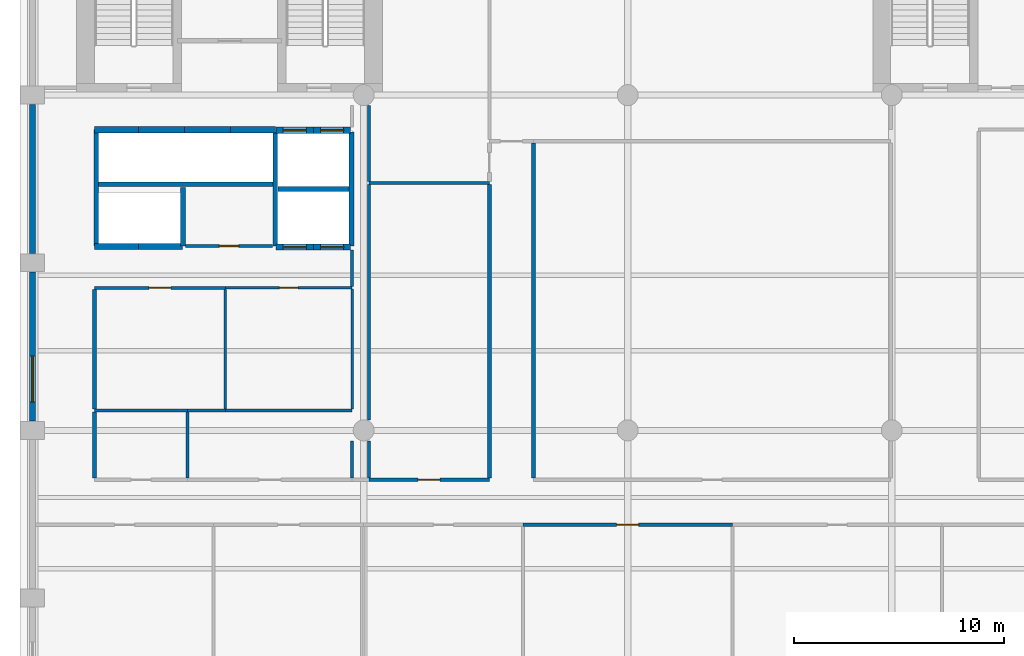
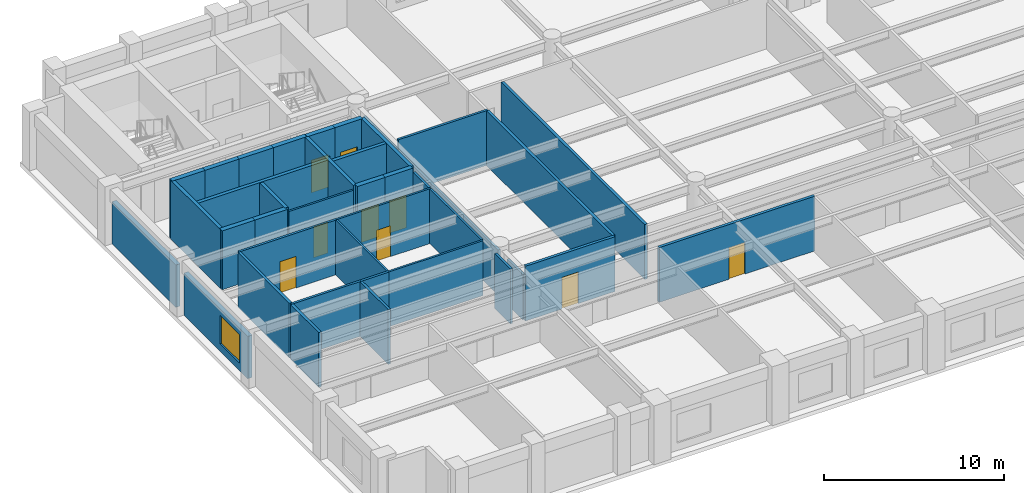
# One storey, part 3 of 8: 39 walls, 9 doors, 1 window, 10 openings.
"""IFC4 building model written with IfcOpenShell, lengths in metres."""

from ifc_helpers import new_model, si_unit, direction, frame, frame_2d, origin, place, context, subcontext, project, spatial, rectangle, extrude, material, layer, layer_set, type_object, element, fill, save


model = new_model("IFC4")

# Units and contexts
model_context = context("Model", 3, precision=1e-05, world=origin(), true_north=direction((0.0, 1.0)))
body_context = subcontext(model_context, "Body", "Model", "MODEL_VIEW")
ifc_project = project(units=[si_unit("LENGTHUNIT", "METRE"), si_unit("AREAUNIT", "SQUARE_METRE"), si_unit("VOLUMEUNIT", "CUBIC_METRE"), si_unit("PLANEANGLEUNIT", "RADIAN"), si_unit("MASSUNIT", "GRAM", prefix="KILO")], contexts=[model_context])

# Site, building, storey
site_placement = place(None, origin())
site = spatial("IfcSite", under=ifc_project, at=site_placement, CompositionType="ELEMENT")
building_placement = place(site_placement, origin())
building = spatial("IfcBuilding", under=site, at=building_placement, Name="Sulina Concourse Tower", CompositionType="ELEMENT")
storey_placement = place(building_placement, frame((0.0, 0.0, 132.60009765625)))
storey = spatial("IfcBuildingStorey", under=building, at=storey_placement, Name="L32", CompositionType="ELEMENT", Elevation=132.60009765625)

# Walls
ifc_material_1 = material(Name="Concrete C50/60", Category="concrete")
ifc_layer_1 = layer(ifc_material_1, 0.219970703125)
ifc_layer_set_1 = layer_set([ifc_layer_1], Name="Concrete C50/60")
wall_type_1 = type_object("IfcWallType", Name="Core Lift Hoistway Divider Wall 220mm", PredefinedType="SOLIDWALL", material=ifc_layer_set_1)
wall_1_placement = place(storey_placement, frame((3.550048828125, 29.75, 0.0), z_axis=(0.0, 0.0, 1.0), x_axis=(1.0, 0.0, 0.0)))
element("IfcWall", 1, at=wall_1_placement, inside=storey, type_object=wall_type_1, Name="L32 shaft divider wall HW-LP3-S", PredefinedType="SOLIDWALL", context=body_context, shape_type="SweptSolid", body=[
    extrude(rectangle(XDim=8.64990234375, YDim=0.219970703125, at=frame_2d((4.324951171875, 0.0))), origin(), (0.0, 0.0, 1.0), 4.0),
])
wall_2_placement = place(storey_placement, frame((3.6298828125, 26.800048828125, 0.0), z_axis=(0.0, 0.0, 1.0), x_axis=(0.0, 1.0, 0.0)))
element("IfcWall", 2, at=wall_2_placement, inside=storey, type_object=wall_type_1, Name="L32 shaft divider wall HW-LP3-W", PredefinedType="SOLIDWALL", context=body_context, shape_type="SweptSolid", body=[
    extrude(rectangle(XDim=5.550048828125, YDim=0.219970703125, at=frame_2d((2.77490234375, 0.0))), origin(), (0.0, 0.0, 1.0), 4.0),
])
wall_3_placement = place(storey_placement, frame((7.780029296875, 26.800048828125, 0.0), z_axis=(0.0, 0.0, 1.0), x_axis=(0.0, 1.0, 0.0)))
element("IfcWall", 3, at=wall_3_placement, inside=storey, type_object=wall_type_1, Name="L32 shaft divider wall HW-EXP-E", PredefinedType="SOLIDWALL", context=body_context, shape_type="SweptSolid", body=[
    extrude(rectangle(XDim=2.800048828125, YDim=0.219970703125, at=frame_2d((1.39990234375, 0.0))), origin(), (0.0, 0.0, 1.0), 4.0),
])
for number, where, z_axis, x_axis, name in (
    (4, (12.179931640625, 26.800048828125, 0.0), (0.0, 0.0, 1.0), (0.0, 1.0, 0.0), "L32 shaft divider wall HW-LP2-W"),
    (5, (15.820068359375, 26.800048828125, 0.0), (0.0, 0.0, 1.0), (0.0, 1.0, 0.0), "L32 shaft divider wall HW-LP2-E"),
):
    element("IfcWall", number, at=place(storey_placement, frame(where, z_axis=z_axis, x_axis=x_axis)), inside=storey, type_object=wall_type_1, Name=name, PredefinedType="SOLIDWALL", context=body_context, shape_type="SweptSolid", body=[
        extrude(rectangle(XDim=5.449951171875, YDim=0.219970703125, at=frame_2d((2.72509765625, 0.0))), origin(), (0.0, 0.0, 1.0), 4.0),
    ])
wall_4_placement = place(storey_placement, frame((12.300048828125, 29.52001953125, 0.0), z_axis=(0.0, 0.0, 1.0), x_axis=(1.0, 0.0, 0.0)))
element("IfcWall", 6, at=wall_4_placement, inside=storey, type_object=wall_type_1, Name="L32 shaft divider wall HW-LP2-M", PredefinedType="SOLIDWALL", context=body_context, shape_type="SweptSolid", body=[
    extrude(rectangle(XDim=3.39990234375, YDim=0.219970703125, at=frame_2d((1.699951171875, 0.0))), origin(), (0.0, 0.0, 1.0), 4.0),
])

# Wall, opening, door
ifc_material_2 = material(Name="Concrete C50/60", Category="concrete")
ifc_layer_2 = layer(ifc_material_2, 0.300048828125)
ifc_layer_set_2 = layer_set([ifc_layer_2], Name="Concrete C50/60")
wall_type_2 = type_object("IfcWallType", Name="Core Lift Hoistway Wall 300mm", PredefinedType="SOLIDWALL", material=ifc_layer_set_2)
wall_5_placement = place(storey_placement, frame((14.0, 26.75, 0.0), z_axis=(0.0, 0.0, 1.0), x_axis=(-1.0, 0.0, 0.0)))
wall_5 = element("IfcWall", 7, at=wall_5_placement, inside=storey, type_object=wall_type_2, Name="L32 hoistway enclosure wall LP-05", PredefinedType="SOLIDWALL", context=body_context, shape_type="SweptSolid", body=[
    extrude(rectangle(XDim=1.780029296875, YDim=0.300048828125, at=frame_2d((0.89013671875, 0.0))), origin(), (0.0, 0.0, 1.0), 4.0),
])
opening_1_placement = place(wall_5_placement, frame((0.340087890625, 0.0, 0.0)))
opening_1 = element("IfcOpeningElement", 8, at=opening_1_placement, cuts=wall_5, Name="Opening LD-01", PredefinedType="OPENING", context=body_context, shape_type="SweptSolid", body=[
    extrude(rectangle(XDim=1.10009765625, YDim=2.199951171875, at=frame_2d((0.550048828125, 1.10009765625))), frame((0.0, 0.159912109375, 0.0), z_axis=(0.0, -1.0, 0.0), x_axis=(1.0, 0.0, 0.0)), (0.0, 0.0, 1.0), 0.320068359375),
])
ifc_material_3 = material(Name="Stainless steel lift landing door", Category="steel")
ifc_layer_3 = layer(ifc_material_3, 0.050048828125)
ifc_layer_set_3 = layer_set([ifc_layer_3], Name="Stainless steel lift landing door")
door_type_1 = type_object("IfcDoorType", Name="Passenger Lift Sliding Landing Door 1100x2200", OperationType="SLIDING_TO_LEFT", PredefinedType="DOOR", material=ifc_layer_set_3)
door_1_placement = place(opening_1_placement, origin())
door_1 = element("IfcDoor", 9, at=door_1_placement, inside=storey, type_object=door_type_1, Name="L32 lift landing sliding door LP-05", OperationType="SLIDING_TO_LEFT", OverallHeight=2.199951171875, OverallWidth=1.10009765625, PredefinedType="DOOR", context=body_context, shape_type="SweptSolid", body=[
    extrude(rectangle(XDim=1.10009765625, YDim=2.199951171875, at=frame_2d((0.550048828125, 1.10009765625))), frame((0.0, 0.02490234375, 0.0), z_axis=(0.0, -1.0, 0.0), x_axis=(1.0, 0.0, 0.0)), (0.0, 0.0, 1.0), 0.050048828125),
])
fill(opening_1, door_1)

wall_6_placement = place(storey_placement, frame((15.780029296875, 26.75, 0.0), z_axis=(0.0, 0.0, 1.0), x_axis=(-1.0, 0.0, 0.0)))
wall_6 = element("IfcWall", 10, at=wall_6_placement, inside=storey, type_object=wall_type_2, Name="L32 hoistway enclosure wall LP-06", PredefinedType="SOLIDWALL", context=body_context, shape_type="SweptSolid", body=[
    extrude(rectangle(XDim=1.780029296875, YDim=0.300048828125, at=frame_2d((0.89013671875, 0.0))), origin(), (0.0, 0.0, 1.0), 4.0),
])
opening_2_placement = place(wall_6_placement, frame((0.340087890625, 0.0, 0.0)))
opening_2 = element("IfcOpeningElement", 11, at=opening_2_placement, cuts=wall_6, Name="Opening LD-01", PredefinedType="OPENING", context=body_context, shape_type="SweptSolid", body=[
    extrude(rectangle(XDim=1.10009765625, YDim=2.199951171875, at=frame_2d((0.550048828125, 1.10009765625))), frame((0.0, 0.159912109375, 0.0), z_axis=(0.0, -1.0, 0.0), x_axis=(1.0, 0.0, 0.0)), (0.0, 0.0, 1.0), 0.320068359375),
])
door_2_placement = place(opening_2_placement, origin())
door_2 = element("IfcDoor", 12, at=door_2_placement, inside=storey, type_object=door_type_1, Name="L32 lift landing sliding door LP-06", OperationType="SLIDING_TO_RIGHT", OverallHeight=2.199951171875, OverallWidth=1.10009765625, PredefinedType="DOOR", context=body_context, shape_type="SweptSolid", body=[
    extrude(rectangle(XDim=1.10009765625, YDim=2.199951171875, at=frame_2d((0.550048828125, 1.10009765625))), frame((0.0, 0.02490234375, 0.0), z_axis=(0.0, -1.0, 0.0), x_axis=(1.0, 0.0, 0.0)), (0.0, 0.0, 1.0), 0.050048828125),
])
fill(opening_2, door_2)

wall_7_placement = place(storey_placement, frame((12.219970703125, 32.320068359375, 0.0), z_axis=(0.0, 0.0, 1.0), x_axis=(1.0, 0.0, 0.0)))
wall_7 = element("IfcWall", 13, at=wall_7_placement, inside=storey, type_object=wall_type_2, Name="L32 hoistway enclosure wall LP-07", PredefinedType="SOLIDWALL", context=body_context, shape_type="SweptSolid", body=[
    extrude(rectangle(XDim=1.780029296875, YDim=0.300048828125, at=frame_2d((0.89013671875, 0.0))), origin(), (0.0, 0.0, 1.0), 4.0),
])
opening_3_placement = place(wall_7_placement, frame((0.340087890625, 0.0, 0.0)))
opening_3 = element("IfcOpeningElement", 14, at=opening_3_placement, cuts=wall_7, Name="Opening LD-01", PredefinedType="OPENING", context=body_context, shape_type="SweptSolid", body=[
    extrude(rectangle(XDim=1.10009765625, YDim=2.199951171875, at=frame_2d((0.550048828125, 1.10009765625))), frame((0.0, 0.159912109375, 0.0), z_axis=(0.0, -1.0, 0.0), x_axis=(1.0, 0.0, 0.0)), (0.0, 0.0, 1.0), 0.320068359375),
])
door_3_placement = place(opening_3_placement, origin())
door_3 = element("IfcDoor", 15, at=door_3_placement, inside=storey, type_object=door_type_1, Name="L32 lift landing sliding door LP-07", OperationType="SLIDING_TO_LEFT", OverallHeight=2.199951171875, OverallWidth=1.10009765625, PredefinedType="DOOR", context=body_context, shape_type="SweptSolid", body=[
    extrude(rectangle(XDim=1.10009765625, YDim=2.199951171875, at=frame_2d((0.550048828125, 1.10009765625))), frame((0.0, 0.02490234375, 0.0), z_axis=(0.0, -1.0, 0.0), x_axis=(1.0, 0.0, 0.0)), (0.0, 0.0, 1.0), 0.050048828125),
])
fill(opening_3, door_3)

wall_8_placement = place(storey_placement, frame((14.0, 32.320068359375, 0.0), z_axis=(0.0, 0.0, 1.0), x_axis=(1.0, 0.0, 0.0)))
wall_8 = element("IfcWall", 16, at=wall_8_placement, inside=storey, type_object=wall_type_2, Name="L32 hoistway enclosure wall LP-08", PredefinedType="SOLIDWALL", context=body_context, shape_type="SweptSolid", body=[
    extrude(rectangle(XDim=1.780029296875, YDim=0.300048828125, at=frame_2d((0.89013671875, 0.0))), origin(), (0.0, 0.0, 1.0), 4.0),
])
opening_4_placement = place(wall_8_placement, frame((0.340087890625, 0.0, 0.0)))
opening_4 = element("IfcOpeningElement", 17, at=opening_4_placement, cuts=wall_8, Name="Opening LD-01", PredefinedType="OPENING", context=body_context, shape_type="SweptSolid", body=[
    extrude(rectangle(XDim=1.10009765625, YDim=2.199951171875, at=frame_2d((0.550048828125, 1.10009765625))), frame((0.0, 0.159912109375, 0.0), z_axis=(0.0, -1.0, 0.0), x_axis=(1.0, 0.0, 0.0)), (0.0, 0.0, 1.0), 0.320068359375),
])
door_4_placement = place(opening_4_placement, origin())
door_4 = element("IfcDoor", 18, at=door_4_placement, inside=storey, type_object=door_type_1, Name="L32 lift landing sliding door LP-08", OperationType="SLIDING_TO_RIGHT", OverallHeight=2.199951171875, OverallWidth=1.10009765625, PredefinedType="DOOR", context=body_context, shape_type="SweptSolid", body=[
    extrude(rectangle(XDim=1.10009765625, YDim=2.199951171875, at=frame_2d((0.550048828125, 1.10009765625))), frame((0.0, 0.02490234375, 0.0), z_axis=(0.0, -1.0, 0.0), x_axis=(1.0, 0.0, 0.0)), (0.0, 0.0, 1.0), 0.050048828125),
])
fill(opening_4, door_4)

# Walls
wall_9_placement = place(storey_placement, frame((3.550048828125, 32.35009765625, 0.0), z_axis=(0.0, 0.0, 1.0), x_axis=(1.0, 0.0, 0.0)))
element("IfcWall", 19, at=wall_9_placement, inside=storey, type_object=wall_type_2, Name="L32 hoistway enclosure wall LP-09", PredefinedType="SOLIDWALL", context=body_context, shape_type="SweptSolid", body=[
    extrude(rectangle(XDim=2.099853515625, YDim=0.300048828125, at=frame_2d((1.0498046875, 0.0))), origin(), (0.0, 0.0, 1.0), 4.0),
])
wall_10_placement = place(storey_placement, frame((5.64990234375, 32.35009765625, 0.0), z_axis=(0.0, 0.0, 1.0), x_axis=(1.0, 0.0, 0.0)))
element("IfcWall", 20, at=wall_10_placement, inside=storey, type_object=wall_type_2, Name="L32 hoistway enclosure wall LP-10", PredefinedType="SOLIDWALL", context=body_context, shape_type="SweptSolid", body=[
    extrude(rectangle(XDim=2.2001953125, YDim=0.300048828125, at=frame_2d((1.10009765625, 0.0))), origin(), (0.0, 0.0, 1.0), 4.0),
])
wall_11_placement = place(storey_placement, frame((7.85009765625, 32.35009765625, 0.0), z_axis=(0.0, 0.0, 1.0), x_axis=(1.0, 0.0, 0.0)))
element("IfcWall", 21, at=wall_11_placement, inside=storey, type_object=wall_type_2, Name="L32 hoistway enclosure wall LP-11", PredefinedType="SOLIDWALL", context=body_context, shape_type="SweptSolid", body=[
    extrude(rectangle(XDim=2.199951171875, YDim=0.300048828125, at=frame_2d((1.10009765625, 0.0))), origin(), (0.0, 0.0, 1.0), 4.0),
])
wall_12_placement = place(storey_placement, frame((10.050048828125, 32.35009765625, 0.0), z_axis=(0.0, 0.0, 1.0), x_axis=(1.0, 0.0, 0.0)))
element("IfcWall", 22, at=wall_12_placement, inside=storey, type_object=wall_type_2, Name="L32 hoistway enclosure wall LP-12", PredefinedType="SOLIDWALL", context=body_context, shape_type="SweptSolid", body=[
    extrude(rectangle(XDim=2.14990234375, YDim=0.300048828125, at=frame_2d((1.074951171875, 0.0))), origin(), (0.0, 0.0, 1.0), 4.0),
])
wall_13_placement = place(storey_placement, frame((5.64990234375, 26.780029296875, 0.0), z_axis=(0.0, 0.0, 1.0), x_axis=(-1.0, 0.0, 0.0)))
element("IfcWall", 23, at=wall_13_placement, inside=storey, type_object=wall_type_2, Name="L32 hoistway enclosure wall EXP-1", PredefinedType="SOLIDWALL", context=body_context, shape_type="SweptSolid", body=[
    extrude(rectangle(XDim=2.099853515625, YDim=0.300048828125, at=frame_2d((1.0498046875, 0.0))), origin(), (0.0, 0.0, 1.0), 4.0),
])
wall_14_placement = place(storey_placement, frame((7.75, 26.780029296875, 0.0), z_axis=(0.0, 0.0, 1.0), x_axis=(-1.0, 0.0, 0.0)))
element("IfcWall", 24, at=wall_14_placement, inside=storey, type_object=wall_type_2, Name="L32 hoistway enclosure wall EXP-2", PredefinedType="SOLIDWALL", context=body_context, shape_type="SweptSolid", body=[
    extrude(rectangle(XDim=2.10009765625, YDim=0.300048828125, at=frame_2d((1.050048828125, 0.0))), origin(), (0.0, 0.0, 1.0), 4.0),
])
ifc_material_4 = material(Name="Gypsum board on steel stud", Category="steel")
ifc_layer_4 = layer(ifc_material_4, 0.14990234375)
ifc_layer_set_4 = layer_set([ifc_layer_4], Name="Gypsum board on steel stud")
wall_type_3 = type_object("IfcWallType", Name="Inter-Tenancy Acoustic Partition 150mm", PredefinedType="PARTITIONING", material=ifc_layer_set_4)
wall_15_placement = place(storey_placement, frame((3.550048828125, 18.949951171875, 0.0), z_axis=(0.0, 0.0, 1.0), x_axis=(1.0, 0.0, 0.0)))
element("IfcWall", 25, at=wall_15_placement, inside=storey, type_object=wall_type_3, Name="L32 interior partition 013", PredefinedType="PARTITIONING", context=body_context, shape_type="SweptSolid", body=[
    extrude(rectangle(XDim=4.449951171875, YDim=0.14990234375, at=frame_2d((2.22509765625, 0.0))), origin(), (0.0, 0.0, 1.0), 3.724853515625),
])
wall_16_placement = place(storey_placement, frame((8.0, 18.949951171875, 0.0), z_axis=(0.0, 0.0, 1.0), x_axis=(1.0, 0.0, 0.0)))
element("IfcWall", 26, at=wall_16_placement, inside=storey, type_object=wall_type_3, Name="L32 interior partition 014", PredefinedType="PARTITIONING", context=body_context, shape_type="SweptSolid", body=[
    extrude(rectangle(XDim=1.800048828125, YDim=0.14990234375, at=frame_2d((0.89990234375, 0.0))), origin(), (0.0, 0.0, 1.0), 3.724853515625),
])

# Wall, opening, door
wall_17_placement = place(storey_placement, frame((3.550048828125, 24.800048828125, 0.0), z_axis=(0.0, 0.0, 1.0), x_axis=(1.0, 0.0, 0.0)))
wall_17 = element("IfcWall", 27, at=wall_17_placement, inside=storey, type_object=wall_type_3, Name="L32 interior partition 016", PredefinedType="PARTITIONING", context=body_context, shape_type="SweptSolid", body=[
    extrude(rectangle(XDim=6.25, YDim=0.14990234375, at=frame_2d((3.125, 0.0))), origin(), (0.0, 0.0, 1.0), 3.724853515625),
])
opening_5_placement = place(wall_17_placement, frame((2.60009765625, 0.0, 0.0)))
opening_5 = element("IfcOpeningElement", 28, at=opening_5_placement, cuts=wall_17, Name="Opening DR-37", PredefinedType="OPENING", context=body_context, shape_type="SweptSolid", body=[
    extrude(rectangle(XDim=1.050048828125, YDim=2.14990234375, at=frame_2d((0.52490234375, 1.074951171875))), frame((0.0, 0.0849609375, 0.0), z_axis=(0.0, -1.0, 0.0), x_axis=(1.0, 0.0, 0.0)), (0.0, 0.0, 1.0), 0.169921875),
])
ifc_material_5 = material(Name="Oak-veneered fire door leaf")
ifc_layer_5 = layer(ifc_material_5, 0.050048828125)
ifc_layer_set_5 = layer_set([ifc_layer_5], Name="Oak-veneered fire door leaf")
door_type_2 = type_object("IfcDoorType", Name="Tenant Suite Entrance Fire Door 1050x2150", OperationType="NOTDEFINED", PredefinedType="DOOR", material=ifc_layer_set_5)
door_5_placement = place(opening_5_placement, origin())
door_5 = element("IfcDoor", 29, at=door_5_placement, inside=storey, type_object=door_type_2, Name="L32 interior door L32-LR-MRG1", OperationType="SINGLE_SWING_LEFT", OverallHeight=2.14990234375, OverallWidth=1.050048828125, PredefinedType="DOOR", context=body_context, shape_type="SweptSolid", body=[
    extrude(rectangle(XDim=1.050048828125, YDim=2.14990234375, at=frame_2d((0.52490234375, 1.074951171875))), frame((0.0, 0.02490234375, 0.0), z_axis=(0.0, -1.0, 0.0), x_axis=(1.0, 0.0, 0.0)), (0.0, 0.0, 1.0), 0.050048828125),
])
fill(opening_5, door_5)

# Walls
wall_18_placement = place(storey_placement, frame((16.64990234375, 29.800048828125, 0.0), z_axis=(0.0, 0.0, 1.0), x_axis=(1.0, 0.0, 0.0)))
element("IfcWall", 30, at=wall_18_placement, inside=storey, type_object=wall_type_3, Name="L32 interior partition 019", PredefinedType="PARTITIONING", context=body_context, shape_type="SweptSolid", body=[
    extrude(rectangle(XDim=5.75, YDim=0.14990234375, at=frame_2d((2.875, 0.0))), origin(), (0.0, 0.0, 1.0), 3.724853515625),
])
wall_19_placement = place(storey_placement, frame((8.0, 15.739990234375, 0.0), z_axis=(0.0, 0.0, 1.0), x_axis=(0.0, 1.0, 0.0)))
element("IfcWall", 31, at=wall_19_placement, inside=storey, type_object=wall_type_3, Name="L32 interior partition 029", PredefinedType="PARTITIONING", context=body_context, shape_type="SweptSolid", body=[
    extrude(rectangle(XDim=3.135009765625, YDim=0.14990234375, at=frame_2d((1.5673828125, 0.0))), origin(), (0.0, 0.0, 1.0), 3.724853515625),
])
wall_20_placement = place(storey_placement, frame((15.85009765625, 15.739990234375, 0.0), z_axis=(0.0, 0.0, 1.0), x_axis=(0.0, 1.0, 0.0)))
element("IfcWall", 32, at=wall_20_placement, inside=storey, type_object=wall_type_3, Name="L32 interior partition 032", PredefinedType="PARTITIONING", context=body_context, shape_type="SweptSolid", body=[
    extrude(rectangle(XDim=1.760009765625, YDim=0.14990234375, at=frame_2d((0.8798828125, 0.0))), origin(), (0.0, 0.0, 1.0), 3.724853515625),
])
wall_21_placement = place(storey_placement, frame((15.85009765625, 24.862548828125, 0.0), z_axis=(0.0, 0.0, 1.0), x_axis=(0.0, 1.0, 0.0)))
element("IfcWall", 33, at=wall_21_placement, inside=storey, type_object=wall_type_3, Name="L32 interior partition 034", PredefinedType="PARTITIONING", context=body_context, shape_type="SweptSolid", body=[
    extrude(rectangle(XDim=1.737548828125, YDim=0.14990234375, at=frame_2d((0.86865234375, 0.0))), origin(), (0.0, 0.0, 1.0), 3.724853515625),
])
wall_22_placement = place(storey_placement, frame((16.64990234375, 15.739990234375, 0.0), z_axis=(0.0, 0.0, 1.0), x_axis=(0.0, 1.0, 0.0)))
element("IfcWall", 34, at=wall_22_placement, inside=storey, type_object=wall_type_3, Name="L32 interior partition 037", PredefinedType="PARTITIONING", context=body_context, shape_type="SweptSolid", body=[
    extrude(rectangle(XDim=1.760009765625, YDim=0.14990234375, at=frame_2d((0.8798828125, 0.0))), origin(), (0.0, 0.0, 1.0), 3.06982421875),
])
wall_23_placement = place(storey_placement, frame((16.64990234375, 18.5, 0.0), z_axis=(0.0, 0.0, 1.0), x_axis=(0.0, 1.0, 0.0)))
element("IfcWall", 35, at=wall_23_placement, inside=storey, type_object=wall_type_3, Name="L32 interior partition 038", PredefinedType="PARTITIONING", context=body_context, shape_type="SweptSolid", body=[
    extrude(rectangle(XDim=11.22509765625, YDim=0.14990234375, at=frame_2d((5.612548828125, 0.0))), origin(), (0.0, 0.0, 1.0), 3.06982421875),
])
wall_24_placement = place(storey_placement, frame((16.64990234375, 29.875, 0.0), z_axis=(0.0, 0.0, 1.0), x_axis=(0.0, 1.0, 0.0)))
element("IfcWall", 36, at=wall_24_placement, inside=storey, type_object=wall_type_3, Name="L32 interior partition 039", PredefinedType="PARTITIONING", context=body_context, shape_type="SweptSolid", body=[
    extrude(rectangle(XDim=3.625, YDim=0.14990234375, at=frame_2d((1.8125, 0.0))), origin(), (0.0, 0.0, 1.0), 3.06982421875),
])

# Wall, opening, door
ifc_material_6 = material(Name="Gypsum board on steel stud", Category="steel")
ifc_layer_6 = layer(ifc_material_6, 0.179931640625)
ifc_layer_set_6 = layer_set([ifc_layer_6], Name="Gypsum board on steel stud")
wall_type_4 = type_object("IfcWallType", Name="Protected Corridor & Riser Partition 180mm", PredefinedType="PARTITIONING", material=ifc_layer_set_6)
wall_25_placement = place(storey_placement, frame((24.0, 13.5, 0.0), z_axis=(0.0, 0.0, 1.0), x_axis=(1.0, 0.0, 0.0)))
wall_25 = element("IfcWall", 37, at=wall_25_placement, inside=storey, type_object=wall_type_4, Name="L32 interior partition 004", PredefinedType="PARTITIONING", context=body_context, shape_type="SweptSolid", body=[
    extrude(rectangle(XDim=10.0, YDim=0.179931640625, at=frame_2d((5.0, 0.0))), origin(), (0.0, 0.0, 1.0), 3.724853515625),
])
opening_6_placement = place(wall_25_placement, frame((4.47509765625, 0.0, 0.0)))
opening_6 = element("IfcOpeningElement", 38, at=opening_6_placement, cuts=wall_25, Name="Opening DR-37", PredefinedType="OPENING", context=body_context, shape_type="SweptSolid", body=[
    extrude(rectangle(XDim=1.050048828125, YDim=2.14990234375, at=frame_2d((0.52490234375, 1.074951171875))), frame((0.0, 0.099853515625, 0.0), z_axis=(0.0, -1.0, 0.0), x_axis=(1.0, 0.0, 0.0)), (0.0, 0.0, 1.0), 0.199951171875),
])
door_6_placement = place(opening_6_placement, origin())
door_6 = element("IfcDoor", 39, at=door_6_placement, inside=storey, type_object=door_type_2, Name="L32 interior door L32-S04", OperationType="SINGLE_SWING_LEFT", OverallHeight=2.14990234375, OverallWidth=1.050048828125, PredefinedType="DOOR", context=body_context, shape_type="SweptSolid", body=[
    extrude(rectangle(XDim=1.050048828125, YDim=2.14990234375, at=frame_2d((0.52490234375, 1.074951171875))), frame((0.0, 0.02490234375, 0.0), z_axis=(0.0, -1.0, 0.0), x_axis=(1.0, 0.0, 0.0)), (0.0, 0.0, 1.0), 0.050048828125),
])
fill(opening_6, door_6)

wall_26_placement = place(storey_placement, frame((16.64990234375, 15.64990234375, 0.0), z_axis=(0.0, 0.0, 1.0), x_axis=(1.0, 0.0, 0.0)))
wall_26 = element("IfcWall", 40, at=wall_26_placement, inside=storey, type_object=wall_type_4, Name="L32 interior partition 010", PredefinedType="PARTITIONING", context=body_context, shape_type="SweptSolid", body=[
    extrude(rectangle(XDim=5.75, YDim=0.179931640625, at=frame_2d((2.875, 0.0))), origin(), (0.0, 0.0, 1.0), 3.724853515625),
])
opening_7_placement = place(wall_26_placement, frame((2.35009765625, 0.0, 0.0)))
opening_7 = element("IfcOpeningElement", 41, at=opening_7_placement, cuts=wall_26, Name="Opening DR-37", PredefinedType="OPENING", context=body_context, shape_type="SweptSolid", body=[
    extrude(rectangle(XDim=1.050048828125, YDim=2.14990234375, at=frame_2d((0.52490234375, 1.074951171875))), frame((0.0, 0.099853515625, 0.0), z_axis=(0.0, -1.0, 0.0), x_axis=(1.0, 0.0, 0.0)), (0.0, 0.0, 1.0), 0.199951171875),
])
door_7_placement = place(opening_7_placement, origin())
door_7 = element("IfcDoor", 42, at=door_7_placement, inside=storey, type_object=door_type_2, Name="L32 interior door L32-NC1", OperationType="SINGLE_SWING_RIGHT", OverallHeight=2.14990234375, OverallWidth=1.050048828125, PredefinedType="DOOR", context=body_context, shape_type="SweptSolid", body=[
    extrude(rectangle(XDim=1.050048828125, YDim=2.14990234375, at=frame_2d((0.52490234375, 1.074951171875))), frame((0.0, 0.02490234375, 0.0), z_axis=(0.0, -1.0, 0.0), x_axis=(1.0, 0.0, 0.0)), (0.0, 0.0, 1.0), 0.050048828125),
])
fill(opening_7, door_7)

# Walls
wall_27_placement = place(storey_placement, frame((3.550048828125, 15.739990234375, 0.0), z_axis=(0.0, 0.0, 1.0), x_axis=(0.0, 1.0, 0.0)))
element("IfcWall", 43, at=wall_27_placement, inside=storey, type_object=wall_type_4, Name="L32 interior partition 027", PredefinedType="PARTITIONING", context=body_context, shape_type="SweptSolid", body=[
    extrude(rectangle(XDim=3.135009765625, YDim=0.179931640625, at=frame_2d((1.5673828125, 0.0))), origin(), (0.0, 0.0, 1.0), 3.724853515625),
])
wall_28_placement = place(storey_placement, frame((3.550048828125, 19.02490234375, 0.0), z_axis=(0.0, 0.0, 1.0), x_axis=(0.0, 1.0, 0.0)))
element("IfcWall", 44, at=wall_28_placement, inside=storey, type_object=wall_type_4, Name="L32 interior partition 028", PredefinedType="PARTITIONING", context=body_context, shape_type="SweptSolid", body=[
    extrude(rectangle(XDim=5.7001953125, YDim=0.179931640625, at=frame_2d((2.85009765625, 0.0))), origin(), (0.0, 0.0, 1.0), 3.724853515625),
])
wall_29_placement = place(storey_placement, frame((22.39990234375, 15.739990234375, 0.0), z_axis=(0.0, 0.0, 1.0), x_axis=(0.0, 1.0, 0.0)))
element("IfcWall", 45, at=wall_29_placement, inside=storey, type_object=wall_type_4, Name="L32 interior partition 040", PredefinedType="PARTITIONING", context=body_context, shape_type="SweptSolid", body=[
    extrude(rectangle(XDim=13.985107421875, YDim=0.179931640625, at=frame_2d((6.99267578125, 0.0))), origin(), (0.0, 0.0, 1.0), 3.724853515625),
])
wall_30_placement = place(storey_placement, frame((24.5, 15.739990234375, 0.0), z_axis=(0.0, 0.0, 1.0), x_axis=(0.0, 1.0, 0.0)))
element("IfcWall", 46, at=wall_30_placement, inside=storey, type_object=wall_type_4, Name="L32 interior partition 044", PredefinedType="PARTITIONING", context=body_context, shape_type="SweptSolid", body=[
    extrude(rectangle(XDim=15.969970703125, YDim=0.179931640625, at=frame_2d((7.98486328125, 0.0))), origin(), (0.0, 0.0, 1.0), 3.724853515625),
])

# Wall, opening, window
ifc_material_7 = material(Name="Precast concrete C50/60", Category="concrete")
ifc_layer_7 = layer(ifc_material_7, 0.280029296875)
ifc_layer_set_7 = layer_set([ifc_layer_7], Name="Precast concrete C50/60")
wall_type_5 = type_object("IfcWallType", Name="Typical Precast Masonry-Frame Facade Wall 280mm", PredefinedType="SOLIDWALL", material=ifc_layer_set_7)
wall_31_placement = place(storey_placement, frame((0.60009765625, 18.445068359375, 0.0), z_axis=(0.0, 0.0, 1.0), x_axis=(0.0, 1.0, 0.0)))
wall_31 = element("IfcWall", 47, at=wall_31_placement, inside=storey, type_object=wall_type_5, Name="L32 exterior precast wall W3", PredefinedType="SOLIDWALL", context=body_context, shape_type="SweptSolid", body=[
    extrude(rectangle(XDim=7.10986328125, YDim=0.280029296875, at=frame_2d((3.554931640625, 0.0))), origin(), (0.0, 0.0, 1.0), 2.875),
])
opening_8_placement = place(wall_31_placement, frame((0.9033203125, 0.0, 0.5)))
opening_8 = element("IfcOpeningElement", 48, at=opening_8_placement, cuts=wall_31, Name="Opening WN-76", PredefinedType="OPENING", context=body_context, shape_type="SweptSolid", body=[
    extrude(rectangle(XDim=2.199951171875, YDim=1.949951171875, at=frame_2d((1.10009765625, 0.97509765625))), frame((0.0, 0.14990234375, 0.0), z_axis=(0.0, -1.0, 0.0), x_axis=(1.0, 0.0, 0.0)), (0.0, 0.0, 1.0), 0.300048828125),
])
ifc_material_8 = material(Name="Low-E solar double glazing in bronze aluminium", Category="aluminium")
window_type = type_object("IfcWindowType", Name="Recessed Spandrel Window 2200x1950", PartitioningType="DOUBLE_PANEL_VERTICAL", PredefinedType="WINDOW", material=ifc_material_8)
window_placement = place(opening_8_placement, origin())
window = element("IfcWindow", 49, at=window_placement, inside=storey, type_object=window_type, Name="L32 punched window W3-1", OverallHeight=1.949951171875, OverallWidth=2.199951171875, PartitioningType="SINGLE_PANEL", PredefinedType="WINDOW", context=body_context, shape_type="SweptSolid", body=[
    extrude(rectangle(XDim=2.199951171875, YDim=1.949951171875, at=frame_2d((1.10009765625, 0.97509765625))), frame((0.0, 0.030029296875, 0.0), z_axis=(0.0, -1.0, 0.0), x_axis=(1.0, 0.0, 0.0)), (0.0, 0.0, 1.0), 0.06005859375),
])
fill(opening_8, window)

# Walls
wall_32_placement = place(storey_placement, frame((0.60009765625, 26.445068359375, 0.0), z_axis=(0.0, 0.0, 1.0), x_axis=(0.0, 1.0, 0.0)))
element("IfcWall", 50, at=wall_32_placement, inside=storey, type_object=wall_type_5, Name="L32 exterior precast wall W4", PredefinedType="SOLIDWALL", context=body_context, shape_type="SweptSolid", body=[
    extrude(rectangle(XDim=7.10986328125, YDim=0.280029296875, at=frame_2d((3.554931640625, 0.0))), origin(), (0.0, 0.0, 1.0), 2.875),
])
ifc_material_9 = material(Name="Gypsum board on steel stud", Category="steel")
ifc_layer_8 = layer(ifc_material_9, 0.125)
ifc_layer_set_8 = layer_set([ifc_layer_8], Name="Gypsum board on steel stud")
wall_type_6 = type_object("IfcWallType", Name="Wet-Area Moisture-Resistant Partition 125mm", PredefinedType="PARTITIONING", material=ifc_layer_set_8)
wall_33_placement = place(storey_placement, frame((9.800048828125, 18.949951171875, 0.0), z_axis=(0.0, 0.0, 1.0), x_axis=(1.0, 0.0, 0.0)))
element("IfcWall", 51, at=wall_33_placement, inside=storey, type_object=wall_type_6, Name="L32 interior partition 015", PredefinedType="PARTITIONING", context=body_context, shape_type="SweptSolid", body=[
    extrude(rectangle(XDim=6.050048828125, YDim=0.125, at=frame_2d((3.02490234375, 0.0))), origin(), (0.0, 0.0, 1.0), 3.724853515625),
])

# Wall, opening, door
wall_34_placement = place(storey_placement, frame((9.800048828125, 24.800048828125, 0.0), z_axis=(0.0, 0.0, 1.0), x_axis=(1.0, 0.0, 0.0)))
wall_34 = element("IfcWall", 52, at=wall_34_placement, inside=storey, type_object=wall_type_6, Name="L32 interior partition 017", PredefinedType="PARTITIONING", context=body_context, shape_type="SweptSolid", body=[
    extrude(rectangle(XDim=6.050048828125, YDim=0.125, at=frame_2d((3.02490234375, 0.0))), origin(), (0.0, 0.0, 1.0), 3.724853515625),
])
opening_9_placement = place(wall_34_placement, frame((2.574951171875, 0.0, 0.0)))
opening_9 = element("IfcOpeningElement", 53, at=opening_9_placement, cuts=wall_34, Name="Opening DR-21", PredefinedType="OPENING", context=body_context, shape_type="SweptSolid", body=[
    extrude(rectangle(XDim=0.89990234375, YDim=2.10009765625, at=frame_2d((0.449951171875, 1.050048828125))), frame((0.0, 0.072509765625, 0.0), z_axis=(0.0, -1.0, 0.0), x_axis=(1.0, 0.0, 0.0)), (0.0, 0.0, 1.0), 0.14501953125),
])
ifc_material_10 = material(Name="Oak-veneered fire door leaf")
ifc_layer_9 = layer(ifc_material_10, 0.050048828125)
ifc_layer_set_9 = layer_set([ifc_layer_9], Name="Oak-veneered fire door leaf")
door_type_3 = type_object("IfcDoorType", Name="Restroom & Service Door 900x2100", OperationType="NOTDEFINED", PredefinedType="DOOR", material=ifc_layer_set_9)
door_8_placement = place(opening_9_placement, origin())
door_8 = element("IfcDoor", 54, at=door_8_placement, inside=storey, type_object=door_type_3, Name="L32 interior door L32-LR-MRG2", OperationType="SINGLE_SWING_RIGHT", OverallHeight=2.10009765625, OverallWidth=0.89990234375, PredefinedType="DOOR", context=body_context, shape_type="SweptSolid", body=[
    extrude(rectangle(XDim=0.89990234375, YDim=2.10009765625, at=frame_2d((0.449951171875, 1.050048828125))), frame((0.0, 0.02490234375, 0.0), z_axis=(0.0, -1.0, 0.0), x_axis=(1.0, 0.0, 0.0)), (0.0, 0.0, 1.0), 0.050048828125),
])
fill(opening_9, door_8)

wall_35_placement = place(storey_placement, frame((7.889892578125, 26.800048828125, 0.0), z_axis=(0.0, 0.0, 1.0), x_axis=(1.0, 0.0, 0.0)))
wall_35 = element("IfcWall", 55, at=wall_35_placement, inside=storey, type_object=wall_type_6, Name="L32 interior partition 018", PredefinedType="PARTITIONING", context=body_context, shape_type="SweptSolid", body=[
    extrude(rectangle(XDim=4.16015625, YDim=0.125, at=frame_2d((2.080078125, 0.0))), origin(), (0.0, 0.0, 1.0), 3.724853515625),
])
opening_10_placement = place(wall_35_placement, frame((1.6201171875, 0.0, 0.0)))
opening_10 = element("IfcOpeningElement", 56, at=opening_10_placement, cuts=wall_35, Name="Opening DR-61", PredefinedType="OPENING", context=body_context, shape_type="SweptSolid", body=[
    extrude(rectangle(XDim=0.919921875, YDim=2.10009765625, at=frame_2d((0.4599609375, 1.050048828125))), frame((0.0, 0.072509765625, 0.0), z_axis=(0.0, -1.0, 0.0), x_axis=(1.0, 0.0, 0.0)), (0.0, 0.0, 1.0), 0.14501953125),
])
ifc_material_11 = material(Name="Oak-veneered fire door leaf")
ifc_layer_10 = layer(ifc_material_11, 0.050048828125)
ifc_layer_set_10 = layer_set([ifc_layer_10], Name="Oak-veneered fire door leaf")
door_type_4 = type_object("IfcDoorType", Name="Accessible WC Door 920x2100", OperationType="NOTDEFINED", PredefinedType="DOOR", material=ifc_layer_set_10)
door_9_placement = place(opening_10_placement, origin())
door_9 = element("IfcDoor", 57, at=door_9_placement, inside=storey, type_object=door_type_4, Name="L32 interior door L32-WC-ACC", OperationType="SINGLE_SWING_LEFT", OverallHeight=2.10009765625, OverallWidth=0.919921875, PredefinedType="DOOR", context=body_context, shape_type="SweptSolid", body=[
    extrude(rectangle(XDim=0.919921875, YDim=2.10009765625, at=frame_2d((0.4599609375, 1.050048828125))), frame((0.0, 0.02490234375, 0.0), z_axis=(0.0, -1.0, 0.0), x_axis=(1.0, 0.0, 0.0)), (0.0, 0.0, 1.0), 0.050048828125),
])
fill(opening_10, door_9)

# Walls
wall_36_placement = place(storey_placement, frame((9.800048828125, 19.02490234375, 0.0), z_axis=(0.0, 0.0, 1.0), x_axis=(0.0, 1.0, 0.0)))
element("IfcWall", 58, at=wall_36_placement, inside=storey, type_object=wall_type_6, Name="L32 interior partition 031", PredefinedType="PARTITIONING", context=body_context, shape_type="SweptSolid", body=[
    extrude(rectangle(XDim=5.7001953125, YDim=0.125, at=frame_2d((2.85009765625, 0.0))), origin(), (0.0, 0.0, 1.0), 3.724853515625),
])
wall_37_placement = place(storey_placement, frame((15.85009765625, 19.012451171875, 0.0), z_axis=(0.0, 0.0, 1.0), x_axis=(0.0, 1.0, 0.0)))
element("IfcWall", 59, at=wall_37_placement, inside=storey, type_object=wall_type_6, Name="L32 interior partition 033", PredefinedType="PARTITIONING", context=body_context, shape_type="SweptSolid", body=[
    extrude(rectangle(XDim=5.72509765625, YDim=0.125, at=frame_2d((2.862548828125, 0.0))), origin(), (0.0, 0.0, 1.0), 3.724853515625),
])

save(model, "model.ifc")
